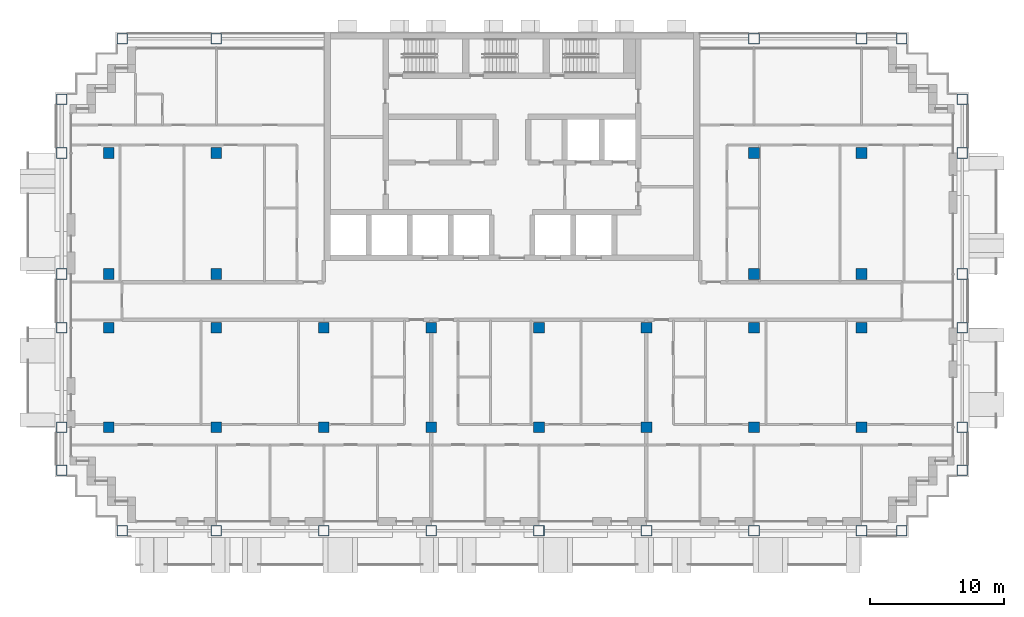
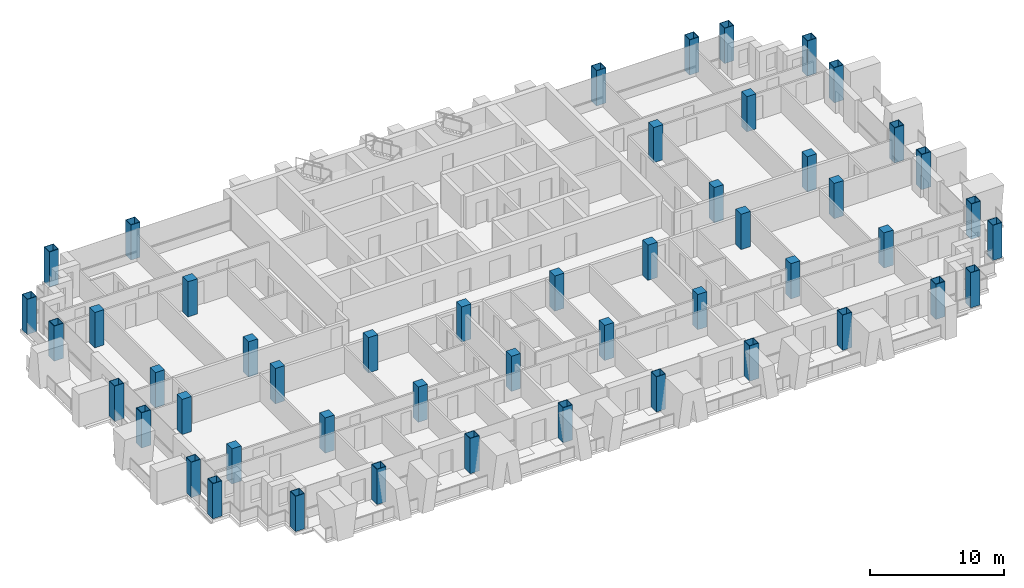
# One storey, part 1 of 16: 50 columns.
"""IFC4 building model written with IfcOpenShell, lengths in metres."""

from ifc_helpers import new_model, si_unit, direction, frame, origin, origin_2d, place, context, subcontext, project, spatial, rectangle, hollow_rectangle, extrude, material, material_profile, profile_set, type_object, element, save


model = new_model("IFC4")

# Units and contexts
model_context = context("Model", 3, precision=1e-05, world=origin(), true_north=direction((0.0, 1.0)))
body_context = subcontext(model_context, "Body", "Model", "MODEL_VIEW")
ifc_project = project(units=[si_unit("LENGTHUNIT", "METRE"), si_unit("AREAUNIT", "SQUARE_METRE"), si_unit("VOLUMEUNIT", "CUBIC_METRE"), si_unit("PLANEANGLEUNIT", "RADIAN"), si_unit("MASSUNIT", "GRAM", prefix="KILO")], contexts=[model_context])

# Site, building, storey
site_placement = place(None, origin())
site = spatial("IfcSite", under=ifc_project, at=site_placement, CompositionType="ELEMENT")
building_placement = place(site_placement, origin())
building = spatial("IfcBuilding", under=site, at=building_placement, Name="Vidyagriha Tower", CompositionType="ELEMENT")
storey_placement = place(building_placement, frame((0.0, 0.0, 129.39990234375)))
storey = spatial("IfcBuildingStorey", under=building, at=storey_placement, Name="L33", CompositionType="ELEMENT", Elevation=129.39990234375)

# Columns
ifc_material_1 = material(Name="Steel ASTM A572 Grade 50", Category="steel")
ifc_material_profile_1 = material_profile(ifc_material_1, hollow_rectangle(XDim=0.800048828125, YDim=0.800048828125, WallThickness=0.0400390625, at=origin_2d()), Name="BOX 800x800x40")
ifc_profile_set_1 = profile_set([ifc_material_profile_1], Name="Steel ASTM A572 Grade 50")
column_type_1 = type_object("IfcColumnType", Name="Exoskeleton column BOX 800x800x40", PredefinedType="COLUMN", material=ifc_profile_set_1)
for number, where, name in (
    (1, (-29.0, -17.10009765625, 0.0), "st-col-L33-B3-001"),
    (2, (-22.0, -17.10009765625, 0.0), "st-col-L33-B3-002"),
    (3, (-14.0, -17.10009765625, 0.0), "st-col-L33-B3-003"),
    (4, (-6.0, -17.10009765625, 0.0), "st-col-L33-B3-004"),
    (5, (2.0, -17.10009765625, 0.0), "st-col-L33-B3-005"),
    (6, (10.0, -17.10009765625, 0.0), "st-col-L33-B3-006"),
    (7, (18.0, -17.10009765625, 0.0), "st-col-L33-B3-007"),
    (8, (26.0, -17.10009765625, 0.0), "st-col-L33-B3-008"),
    (9, (29.0, -17.10009765625, 0.0), "st-col-L33-B3-009"),
    (10, (-33.5, -12.60009765625, 0.0), "st-col-L33-B3-010"),
    (11, (33.5, -12.60009765625, 0.0), "st-col-L33-B3-011"),
    (12, (-33.5, -9.39990234375, 0.0), "st-col-L33-B3-012"),
    (13, (33.5, -9.39990234375, 0.0), "st-col-L33-B3-021"),
    (14, (-33.5, -2.0, 0.0), "st-col-L33-B3-022"),
    (15, (33.5, -2.0, 0.0), "st-col-L33-B3-031"),
    (16, (-33.5, 2.0, 0.0), "st-col-L33-B3-032"),
    (17, (33.5, 2.0, 0.0), "st-col-L33-B3-037"),
    (18, (-33.5, 11.0, 0.0), "st-col-L33-B3-038"),
    (19, (33.5, 11.0, 0.0), "st-col-L33-B3-043"),
    (20, (-33.5, 15.0, 0.0), "st-col-L33-B3-044"),
    (21, (33.5, 15.0, 0.0), "st-col-L33-B3-045"),
    (22, (-29.0, 19.5, 0.0), "st-col-L33-B3-046"),
    (23, (-22.0, 19.5, 0.0), "st-col-L33-B3-047"),
    (24, (18.0, 19.5, 0.0), "st-col-L33-B3-048"),
    (25, (26.0, 19.5, 0.0), "st-col-L33-B3-049"),
    (26, (29.0, 19.5, 0.0), "st-col-L33-B3-050"),
):
    element("IfcColumn", number, at=place(storey_placement, frame(where)), inside=storey, type_object=column_type_1, Name=name, PredefinedType="COLUMN", context=body_context, shape_type="SweptSolid", body=[
        extrude(hollow_rectangle(XDim=0.800048828125, YDim=0.800048828125, WallThickness=0.0400390625, at=origin_2d()), origin(), (0.0, 0.0, 1.0), 3.2001953125),
    ])
ifc_material_2 = material(Name="Concrete C80/95", Category="concrete")
ifc_material_profile_2 = material_profile(ifc_material_2, rectangle(XDim=0.800048828125, YDim=0.800048828125, at=origin_2d()), Name="RC 800x800")
ifc_profile_set_2 = profile_set([ifc_material_profile_2], Name="Concrete C80/95")
column_type_2 = type_object("IfcColumnType", Name="Frame column RC 800x800", PredefinedType="COLUMN", material=ifc_profile_set_2)
for number, where, name in (
    (27, (-30.0, -9.39990234375, 0.0), "st-col-L33-B3-013"),
    (28, (-22.0, -9.39990234375, 0.0), "st-col-L33-B3-014"),
    (29, (-14.0, -9.39990234375, 0.0), "st-col-L33-B3-015"),
    (30, (-6.0, -9.39990234375, 0.0), "st-col-L33-B3-016"),
    (31, (2.0, -9.39990234375, 0.0), "st-col-L33-B3-017"),
    (32, (10.0, -9.39990234375, 0.0), "st-col-L33-B3-018"),
    (33, (18.0, -9.39990234375, 0.0), "st-col-L33-B3-019"),
    (34, (26.0, -9.39990234375, 0.0), "st-col-L33-B3-020"),
    (35, (-30.0, -2.0, 0.0), "st-col-L33-B3-023"),
    (36, (-22.0, -2.0, 0.0), "st-col-L33-B3-024"),
    (37, (-14.0, -2.0, 0.0), "st-col-L33-B3-025"),
    (38, (-6.0, -2.0, 0.0), "st-col-L33-B3-026"),
    (39, (2.0, -2.0, 0.0), "st-col-L33-B3-027"),
    (40, (10.0, -2.0, 0.0), "st-col-L33-B3-028"),
    (41, (18.0, -2.0, 0.0), "st-col-L33-B3-029"),
    (42, (26.0, -2.0, 0.0), "st-col-L33-B3-030"),
    (43, (-30.0, 2.0, 0.0), "st-col-L33-B3-033"),
    (44, (-22.0, 2.0, 0.0), "st-col-L33-B3-034"),
    (45, (18.0, 2.0, 0.0), "st-col-L33-B3-035"),
    (46, (26.0, 2.0, 0.0), "st-col-L33-B3-036"),
    (47, (-30.0, 11.0, 0.0), "st-col-L33-B3-039"),
    (48, (-22.0, 11.0, 0.0), "st-col-L33-B3-040"),
    (49, (18.0, 11.0, 0.0), "st-col-L33-B3-041"),
    (50, (26.0, 11.0, 0.0), "st-col-L33-B3-042"),
):
    element("IfcColumn", number, at=place(storey_placement, frame(where)), inside=storey, type_object=column_type_2, Name=name, PredefinedType="COLUMN", context=body_context, shape_type="SweptSolid", body=[
        extrude(rectangle(XDim=0.800048828125, YDim=0.800048828125, at=origin_2d()), origin(), (0.0, 0.0, 1.0), 3.2001953125),
    ])

save(model, "model.ifc")
